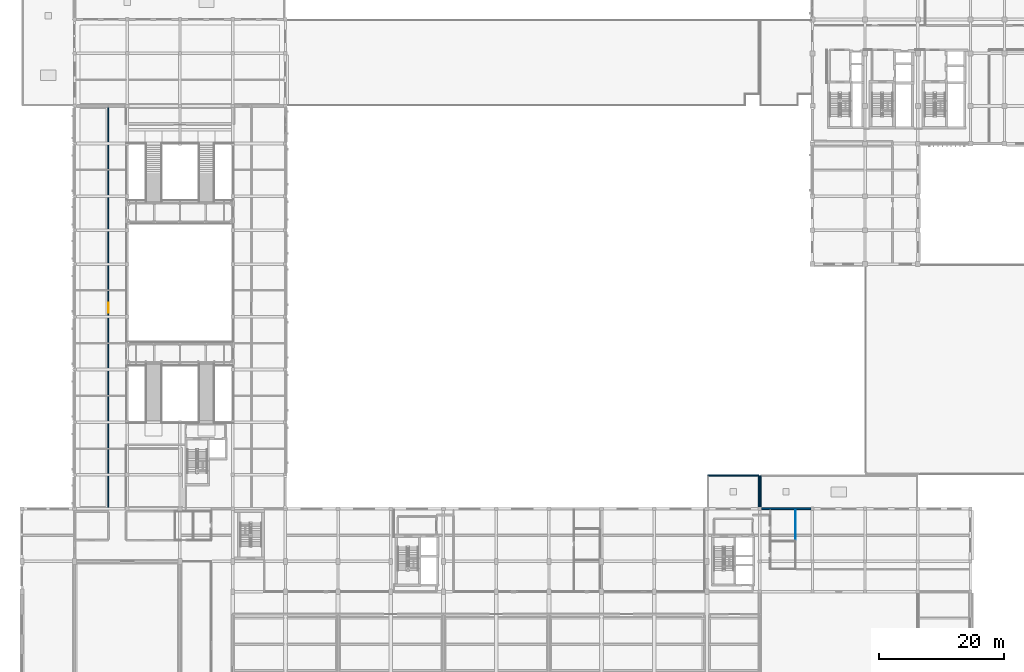
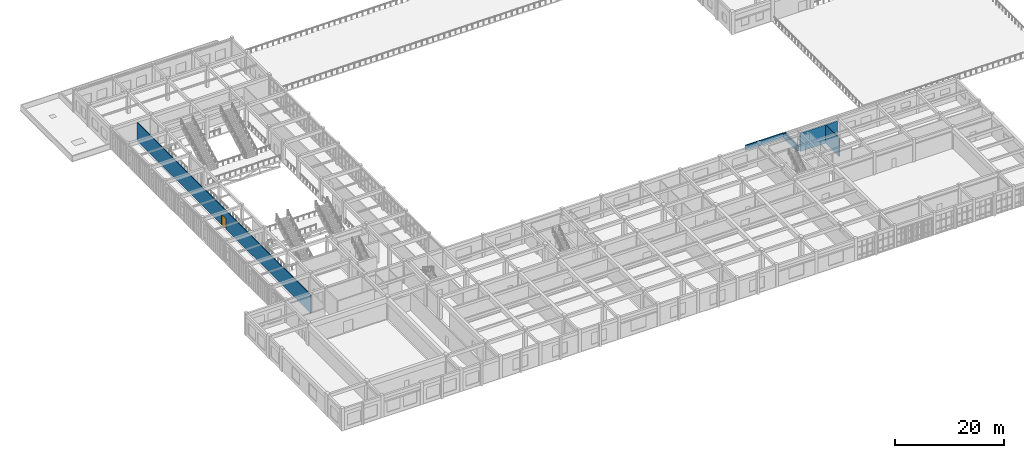
# One storey, part 76 of 93: 6 walls, 1 door, 1 opening.
"""IFC4 building model written with IfcOpenShell, lengths in metres."""

import ifcopenshell
import ifcopenshell.guid

model = None  # the IFC model being written
_history = None  # IfcOwnerHistory: only IFC2X3 demands one
_inside = {}  # id of a spatial element -> (the spatial element, [elements in it])
_under = {}  # id of a project, library or spatial element -> (it, [spatial elements below it])
_declared = {}  # id of a project -> (the project, [libraries it declares])
_typed = {}  # id of a type object -> (the type object, [elements of that type])
_made_of = {}  # id of a material, layer set ... -> (it, [elements and type objects made of it])


def new_model(schema):
    """Start an empty IFC model of exactly this schema.

    Asked for "IFC4X3", IfcOpenShell would pick the latest addendum, in which some entities
    have other attributes; the version numbers below select the first issue.
    IFC2X3 requires an IfcOwnerHistory on every rooted entity: one is made here for all.
    """
    global model, _history
    if schema == "IFC4X3":
        model = ifcopenshell.file(schema_version=(4, 3, 0, 0))
    else:
        model = ifcopenshell.file(schema=schema)
    _inside.clear()
    _under.clear()
    _declared.clear()
    _typed.clear()
    _made_of.clear()
    _history = None
    if model.schema == "IFC2X3":
        org = make("IfcOrganization", Name="unknown")
        user = make(
            "IfcPersonAndOrganization",
            ThePerson=make("IfcPerson", FamilyName="unknown"),
            TheOrganization=org,
        )
        app = make(
            "IfcApplication",
            ApplicationDeveloper=org,
            Version="unknown",
            ApplicationFullName="unknown",
            ApplicationIdentifier="unknown",
        )
        _history = make(
            "IfcOwnerHistory",
            OwningUser=user,
            OwningApplication=app,
            ChangeAction="ADDED",
            CreationDate=0,
        )
    return model


def make(cls, **values):
    """One entity of the class cls with the attributes given. An attribute that is None is left unset."""
    return model.create_entity(
        cls, **{name: value for name, value in values.items() if value is not None}
    )


def rooted(cls, **values):
    """An entity with a GlobalId (a new one), such as an element, a storey or a relation."""
    return make(cls, GlobalId=ifcopenshell.guid.new(), OwnerHistory=_history, **values)


def si_unit(unit_type, name, prefix=None):
    """IfcSIUnit, for example si_unit("LENGTHUNIT", "METRE", prefix="MILLI")."""
    return make("IfcSIUnit", UnitType=unit_type, Prefix=prefix, Name=name)


def assignment(units):
    """IfcUnitAssignment: the units of a project."""
    return None if units is None else make("IfcUnitAssignment", Units=units)


def point(xyz):
    """IfcCartesianPoint."""
    return None if xyz is None else make("IfcCartesianPoint", Coordinates=xyz)


def direction(xyz):
    """IfcDirection."""
    return None if xyz is None else make("IfcDirection", DirectionRatios=xyz)


def frame(location, z_axis=None, x_axis=None):
    """IfcAxis2Placement3D, a coordinate frame: its origin and axes. An axis left out is left unset."""
    return make(
        "IfcAxis2Placement3D",
        Location=point(location),
        Axis=direction(z_axis),
        RefDirection=direction(x_axis),
    )


def frame_2d(location, x_axis=None):
    """IfcAxis2Placement2D, a coordinate frame in the plane: its origin and x axis."""
    return make(
        "IfcAxis2Placement2D", Location=point(location), RefDirection=direction(x_axis)
    )


def origin():
    """The frame at (0, 0, 0) with its axes left unset."""
    return frame((0.0, 0.0, 0.0))


def place(relative_to, where):
    """IfcLocalPlacement: puts the frame where relative to a parent placement (None: the world)."""
    return make(
        "IfcLocalPlacement", PlacementRelTo=relative_to, RelativePlacement=where
    )


def context(
    kind, dimensions, precision=None, world=None, true_north=None, identifier=None
):
    """IfcGeometricRepresentationContext, for example the 3D "Model" context."""
    return make(
        "IfcGeometricRepresentationContext",
        ContextIdentifier=identifier,
        ContextType=kind,
        CoordinateSpaceDimension=dimensions,
        Precision=precision,
        WorldCoordinateSystem=world,
        TrueNorth=true_north,
    )


def subcontext(parent, identifier, kind, view, scale=None):
    """IfcGeometricRepresentationSubContext, for example "Body" below "Model"."""
    return make(
        "IfcGeometricRepresentationSubContext",
        ContextIdentifier=identifier,
        ContextType=kind,
        ParentContext=parent,
        TargetScale=scale,
        TargetView=view,
    )


def project(units=None, contexts=None):
    """IfcProject with its units and contexts."""
    return rooted(
        "IfcProject",
        Name="project",
        RepresentationContexts=contexts,
        UnitsInContext=assignment(units),
    )


def spatial(cls, under=None, at=None, **own):
    """A site, building, storey or space (cls), placed at a placement, below another one or the project."""
    s = rooted(cls, ObjectPlacement=at, **own)
    if under is not None:
        _under.setdefault(under.id(), (under, []))[1].append(s)
    return s


def profile(cls, at=None, kind="AREA", **sizes):
    """A parametric profile (cls). Its sizes go by their IFC names, for example OverallWidth=200.0."""
    return make(cls, ProfileType=kind, Position=at, **sizes)


def rectangle(**sizes):
    """IfcRectangleProfileDef."""
    return profile("IfcRectangleProfileDef", **sizes)


def extrude(swept, where, along, depth):
    """IfcExtrudedAreaSolid: the profile swept, set in the frame where, extruded along a direction by depth."""
    return make(
        "IfcExtrudedAreaSolid",
        SweptArea=swept,
        Position=where,
        ExtrudedDirection=direction(along),
        Depth=depth,
    )


def shape(context_of_items, identifier, shape_type, items):
    """IfcShapeRepresentation: the items that make up one representation, for example the "Body"."""
    return make(
        "IfcShapeRepresentation",
        ContextOfItems=context_of_items,
        RepresentationIdentifier=identifier,
        RepresentationType=shape_type,
        Items=items,
    )


def material(Name=None, Category=None):
    """IfcMaterial."""
    return make("IfcMaterial", Name=Name, Category=Category)


def layer(
    of_material, thickness, ventilated=None, Name=None, Category=None, Priority=None
):
    """IfcMaterialLayer: one layer of a wall or slab, of a material (None: an air gap)."""
    return make(
        "IfcMaterialLayer",
        Material=of_material,
        LayerThickness=thickness,
        IsVentilated=ventilated,
        Name=Name,
        Category=Category,
        Priority=Priority,
    )


def layer_set(layers, Name=None):
    """IfcMaterialLayerSet."""
    return make("IfcMaterialLayerSet", MaterialLayers=layers, LayerSetName=Name)


def made_of(thing, what):
    """Note that an element or type object is made of a material, layer set ...; save() writes the relation."""
    if what is not None:
        _made_of.setdefault(what.id(), (what, []))[1].append(thing)
    return thing


def type_object(cls, material=None, **own):
    """A type object (cls), such as IfcWallType, which elements share."""
    return made_of(rooted(cls, **own), material)


def element(
    cls,
    number,
    at=None,
    inside=None,
    cuts=None,
    type_object=None,
    material=None,
    context=None,
    identifier="Body",
    shape_type=None,
    held_by="IfcProductDefinitionShape",
    body=None,
    shapes=None,
    **own,
):
    """One element of the class cls, such as IfcWall. Its Tag is "e" and its number.

    at: its placement. inside: the storey or other place that contains it. cuts: it is an
    opening in that element (IfcRelVoidsElement). A single representation is given by context,
    identifier, shape_type and body (its items); several are given by shapes. held_by: the class
    of the entity that holds the representations. save() writes the other relations.
    """
    e = rooted(cls, Tag="e%d" % number, ObjectPlacement=at, **own)
    if body is not None:
        shapes = [shape(context, identifier, shape_type, body)]
    if shapes is not None:
        e.Representation = make(held_by, Representations=shapes)
    if inside is not None:
        _inside.setdefault(inside.id(), (inside, []))[1].append(e)
    if cuts is not None:
        rooted(
            "IfcRelVoidsElement", RelatingBuildingElement=cuts, RelatedOpeningElement=e
        )
    if type_object is not None:
        _typed.setdefault(type_object.id(), (type_object, []))[1].append(e)
    return made_of(e, material)


def fill(opening, filler):
    """IfcRelFillsElement: the door or window that sits in an opening."""
    return rooted(
        "IfcRelFillsElement",
        RelatingOpeningElement=opening,
        RelatedBuildingElement=filler,
    )


def aggregate(whole, parts):
    """IfcRelAggregates: a whole, such as a stair, and the parts it consists of."""
    return rooted("IfcRelAggregates", RelatingObject=whole, RelatedObjects=parts)


def save(model, path):
    """Write the relations noted so far, then the file.

    IfcRelAggregates (storeys below a building ...), IfcRelContainedInSpatialStructure (elements
    in a storey), IfcRelDefinesByType, IfcRelAssociatesMaterial and IfcRelDeclares: one each for
    every whole, place, type object, material and project.
    """
    for whole, parts in _under.values():
        aggregate(whole, parts)
    for where, things in _inside.values():
        rooted(
            "IfcRelContainedInSpatialStructure",
            RelatedElements=things,
            RelatingStructure=where,
        )
    for kind, things in _typed.values():
        rooted("IfcRelDefinesByType", RelatedObjects=things, RelatingType=kind)
    for what, things in _made_of.values():
        rooted("IfcRelAssociatesMaterial", RelatedObjects=things, RelatingMaterial=what)
    for by, libraries in _declared.values():
        rooted("IfcRelDeclares", RelatingContext=by, RelatedDefinitions=libraries)
    model.write(path)


model = new_model("IFC4")

# Units and contexts
model_context = context("Model", 3, precision=1e-05, world=origin(), true_north=direction((0.0, 1.0)))
body_context = subcontext(model_context, "Body", "Model", "MODEL_VIEW")
ifc_project = project(units=[si_unit("LENGTHUNIT", "METRE"), si_unit("AREAUNIT", "SQUARE_METRE"), si_unit("VOLUMEUNIT", "CUBIC_METRE"), si_unit("PLANEANGLEUNIT", "RADIAN"), si_unit("MASSUNIT", "GRAM", prefix="KILO")], contexts=[model_context])

# Site, building, storey
site_placement = place(None, origin())
site = spatial("IfcSite", under=ifc_project, at=site_placement, CompositionType="ELEMENT")
building_placement = place(site_placement, origin())
building = spatial("IfcBuilding", under=site, at=building_placement, Name="Krzemoval Escarpment Law Courts", CompositionType="ELEMENT")
storey_placement = place(building_placement, frame((0.0, 0.0, 10.199951171875)))
storey = spatial("IfcBuildingStorey", under=building, at=storey_placement, Name="L02", CompositionType="ELEMENT", Elevation=10.199951171875)

# Walls
ifc_material_1 = material(Name="Precast concrete C40/50", Category="concrete")
ifc_layer_1 = layer(ifc_material_1, 0.300048828125)
ifc_layer_set_1 = layer_set([ifc_layer_1], Name="Precast concrete C40/50")
wall_type_1 = type_object("IfcWallType", Name="WL-EXT-300", PredefinedType="SOLIDWALL", material=ifc_layer_set_1)
wall_1_placement = place(storey_placement, frame((117.85009765625, 35.39990234375, 0.0), z_axis=(0.0, 0.0, 1.0), x_axis=(1.0, 0.0, 0.0)))
element("IfcWall", 1, at=wall_1_placement, inside=storey, type_object=wall_type_1, Name="Exterior Wall EW-L02-0285", PredefinedType="SOLIDWALL", context=body_context, shape_type="SweptSolid", body=[
    extrude(rectangle(XDim=7.89990234375, YDim=0.300048828125, at=frame_2d((3.949951171875, 0.0))), origin(), (0.0, 0.0, 1.0), 4.1201171875),
])
ifc_material_2 = material(Name="Precast concrete C40/50", Category="concrete")
ifc_layer_2 = layer(ifc_material_2, 0.179931640625)
ifc_layer_set_2 = layer_set([ifc_layer_2], Name="Precast concrete C40/50")
wall_type_2 = type_object("IfcWallType", Name="WL-PAR-180", PredefinedType="PARAPET", material=ifc_layer_set_2)
wall_2_placement = place(storey_placement, frame((117.449951171875, 35.64990234375, 0.0), z_axis=(0.0, 0.0, 1.0), x_axis=(0.0, 1.0, 0.0)))
element("IfcWall", 2, at=wall_2_placement, inside=storey, type_object=wall_type_2, Name="Roof Parapet PR-L02-008", PredefinedType="PARAPET", context=body_context, shape_type="SweptSolid", body=[
    extrude(rectangle(XDim=5.0400390625, YDim=0.179931640625, at=frame_2d((2.52001953125, 0.0))), origin(), (0.0, 0.0, 1.0), 1.150146484375),
])
ifc_material_3 = material(Name="Precast concrete C40/50", Category="concrete")
ifc_layer_3 = layer(ifc_material_3, 0.199951171875)
ifc_layer_set_3 = layer_set([ifc_layer_3], Name="Precast concrete C40/50")
wall_type_3 = type_object("IfcWallType", Name="WL-PAR-200", PredefinedType="PARAPET", material=ifc_layer_set_3)
wall_3_placement = place(storey_placement, frame((117.75, 40.68994140625, 0.0), z_axis=(0.0, 0.0, 1.0), x_axis=(0.0, -1.0, 0.0)))
element("IfcWall", 3, at=wall_3_placement, inside=storey, type_object=wall_type_3, Name="Roof Parapet PR-L02-013", PredefinedType="PARAPET", context=body_context, shape_type="SweptSolid", body=[
    extrude(rectangle(XDim=5.0400390625, YDim=0.199951171875, at=frame_2d((2.52001953125, 0.0))), origin(), (0.0, 0.0, 1.0), 1.150146484375),
])
ifc_material_4 = material(Name="Precast concrete C40/50", Category="concrete")
ifc_layer_4 = layer(ifc_material_4, 0.219970703125)
ifc_layer_set_4 = layer_set([ifc_layer_4], Name="Precast concrete C40/50")
wall_type_4 = type_object("IfcWallType", Name="WL-PAR-220", PredefinedType="PARAPET", material=ifc_layer_set_4)
wall_4_placement = place(storey_placement, frame((117.449951171875, 40.68994140625, 0.0), z_axis=(0.0, 0.0, 1.0), x_axis=(-1.0, 0.0, 0.0)))
element("IfcWall", 4, at=wall_4_placement, inside=storey, type_object=wall_type_4, Name="Roof Parapet PR-L02-009", PredefinedType="PARAPET", context=body_context, shape_type="SweptSolid", body=[
    extrude(rectangle(XDim=8.139892578125, YDim=0.219970703125, at=frame_2d((4.06982421875, 0.0))), origin(), (0.0, 0.0, 1.0), 1.150146484375),
])
ifc_material_5 = material(Name="Sanitary Moisture-Resistant Partition", Category="gypsum")
ifc_layer_5 = layer(ifc_material_5, 0.139892578125)
ifc_layer_set_5 = layer_set([ifc_layer_5], Name="Sanitary Moisture-Resistant Partition")
wall_type_5 = type_object("IfcWallType", Name="WL-PRT-140", PredefinedType="PARTITIONING", material=ifc_layer_set_5)
wall_5_placement = place(storey_placement, frame((123.300048828125, 30.27197265625, 0.0), z_axis=(0.0, 0.0, 1.0), x_axis=(0.0, 1.0, 0.0)))
element("IfcWall", 5, at=wall_5_placement, inside=storey, type_object=wall_type_5, Name="Interior Partition PW-L02-0473", PredefinedType="PARTITIONING", context=body_context, shape_type="SweptSolid", body=[
    extrude(rectangle(XDim=4.97607421875, YDim=0.139892578125, at=frame_2d((2.488037109375, 0.0))), origin(), (0.0, 0.0, 1.0), 4.1201171875),
])

# Wall, opening, door
ifc_material_6 = material(Name="Jury Suite Partition Assembly", Category="gypsum")
ifc_layer_6 = layer(ifc_material_6, 0.159912109375)
ifc_layer_set_6 = layer_set([ifc_layer_6], Name="Jury Suite Partition Assembly")
wall_type_6 = type_object("IfcWallType", Name="WL-PRT-160", PredefinedType="PARTITIONING", material=ifc_layer_set_6)
wall_6_placement = place(storey_placement, frame((13.800048828125, 35.39990234375, 0.0), z_axis=(0.0, 0.0, 1.0), x_axis=(0.0, 1.0, 0.0)))
wall_6 = element("IfcWall", 6, at=wall_6_placement, inside=storey, type_object=wall_type_6, Name="Interior Partition PW-L02-0426", PredefinedType="PARTITIONING", context=body_context, shape_type="SweptSolid", body=[
    extrude(rectangle(XDim=64.068115234375, YDim=0.159912109375, at=frame_2d((32.0341796875, 0.0))), origin(), (0.0, 0.0, 1.0), 4.1201171875),
])
opening_placement = place(wall_6_placement, frame((31.23388671875, 0.0, 0.0)))
opening = element("IfcOpeningElement", 7, at=opening_placement, cuts=wall_6, Name="Opening D-L02-0156", PredefinedType="OPENING", context=body_context, shape_type="SweptSolid", body=[
    extrude(rectangle(XDim=1.60009765625, YDim=2.300048828125, at=frame_2d((0.800048828125, 1.14990234375))), frame((0.0, 0.09496, 0.0), z_axis=(0.0, -1.0, 0.0), x_axis=(1.0, 0.0, 0.0)), (0.0, 0.0, 1.0), 0.18991),
])
ifc_material_7 = material(Name="Engineered Solid-Core Oak Acoustic Timber", Category="wood")
door_type = type_object("IfcDoorType", Name="DR-CRT-1600x2300", OperationType="SINGLE_SWING_LEFT", PredefinedType="DOOR", material=ifc_material_7)
door_placement = place(opening_placement, origin())
door = element("IfcDoor", 8, at=door_placement, inside=storey, type_object=door_type, Name="Room Door D-L02-0156", OperationType="SINGLE_SWING_LEFT", OverallHeight=2.300048828125, OverallWidth=1.60009765625, PredefinedType="DOOR", context=body_context, shape_type="SweptSolid", body=[
    extrude(rectangle(XDim=1.60009765625, YDim=2.300048828125, at=frame_2d((0.800048828125, 1.14990234375))), frame((0.0, 0.02490234375, 0.0), z_axis=(0.0, -1.0, 0.0), x_axis=(1.0, 0.0, 0.0)), (0.0, 0.0, 1.0), 0.050048828125),
])
fill(opening, door)

save(model, "model.ifc")
